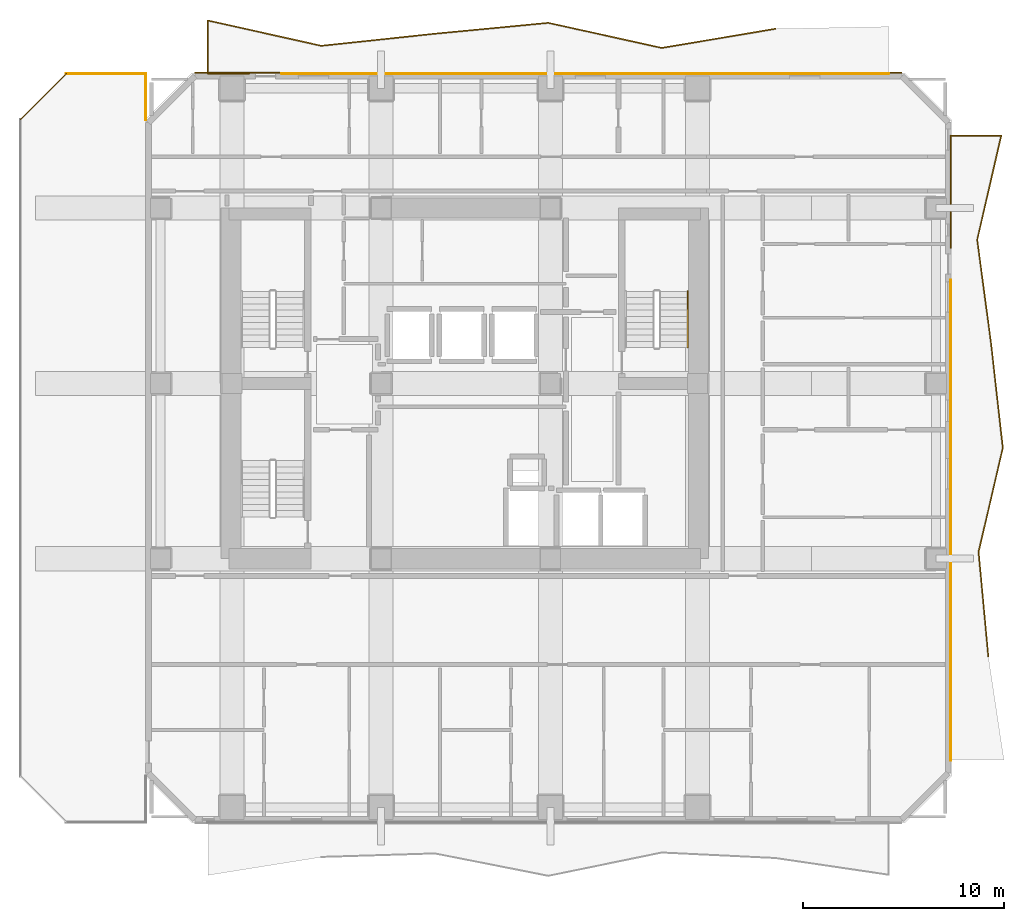
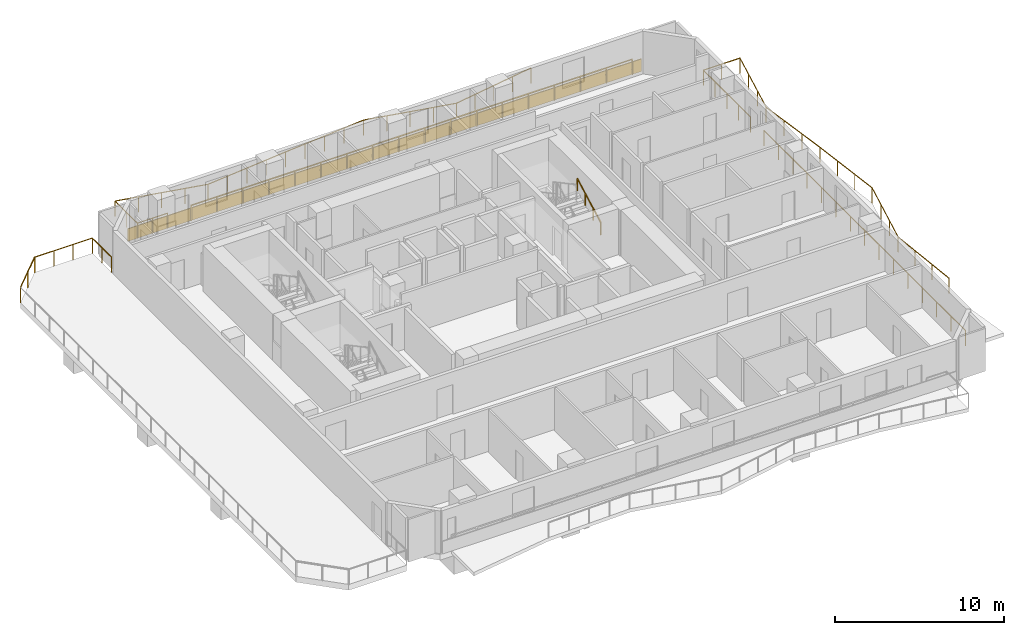
# One storey, part 10 of 10: 8 railings, 1 covering.
"""IFC4 building model written with IfcOpenShell, lengths in metres."""

from ifc_helpers import new_model, si_unit, direction, frame, frame_2d, origin, origin_2d, place, context, subcontext, project, spatial, rectangle, extrude, material, layer, layer_set, type_object, element, save


model = new_model("IFC4")

# Units and contexts
model_context = context("Model", 3, precision=1e-05, world=origin(), true_north=direction((0.0, 1.0)))
body_context = subcontext(model_context, "Body", "Model", "MODEL_VIEW")
ifc_project = project(units=[si_unit("LENGTHUNIT", "METRE"), si_unit("AREAUNIT", "SQUARE_METRE"), si_unit("VOLUMEUNIT", "CUBIC_METRE"), si_unit("PLANEANGLEUNIT", "RADIAN"), si_unit("MASSUNIT", "GRAM", prefix="KILO")], contexts=[model_context])

# Site, building, storey
site_placement = place(None, origin())
site = spatial("IfcSite", under=ifc_project, at=site_placement, CompositionType="ELEMENT")
building_placement = place(site_placement, origin())
building = spatial("IfcBuilding", under=site, at=building_placement, Name="Solanera Arch Residences", CompositionType="ELEMENT")
storey_placement = place(building_placement, frame((0.0, 0.0, 126.0)))
storey = spatial("IfcBuildingStorey", under=building, at=storey_placement, Name="L36", CompositionType="ELEMENT", Elevation=126.0)

# Railings
ifc_material_1 = material(Name="Steel S355 (ASTM A992 / A572 Grade 50)", Category="steel")
railing_type_1 = type_object("IfcRailingType", Name="Balustrade Railing BL-1100", PredefinedType="BALUSTRADE", material=ifc_material_1)
railing_1_placement = place(storey_placement, frame((40.366943359375, 48.302978515625, 0.0)))
element("IfcRailing", 1, at=railing_1_placement, inside=storey, type_object=railing_type_1, Name="L36 N Balcony Balustrade 1", PredefinedType="BALUSTRADE", context=body_context, shape_type="SweptSolid", body=[
    extrude(rectangle(XDim=0.048095703125, YDim=0.048095703125, at=origin_2d()), frame((0.0, 0.0, 1.09619140625), z_axis=(-0.986109512557, -0.166096445609, 0.0), x_axis=(0.166096445609, -0.986109512557, 0.0)), (0.0, 0.0, 1.0), 5.71337890625),
    extrude(rectangle(XDim=0.048095703125, YDim=0.048095703125, at=origin_2d()), frame((-5.634033203125, -0.948974609375, 1.09619140625), z_axis=(-0.976473996844, 0.215635186109, 0.0), x_axis=(-0.215635186109, -0.976473996844, 0.0)), (0.0, 0.0, 1.0), 5.7685546875),
    extrude(rectangle(XDim=0.048095703125, YDim=0.048095703125, at=origin_2d()), frame((-11.266845703125, 0.294921875, 1.09619140625), z_axis=(-0.995456413649, -0.095218320328, 0.0), x_axis=(0.095218320328, -0.995456413649, 0.0)), (0.0, 0.0, 1.0), 5.65869140625),
    extrude(rectangle(XDim=0.048095703125, YDim=0.048095703125, at=origin_2d()), frame((-16.89990234375, -0.243896484375, 1.09619140625), z_axis=(-0.994393445035, -0.105743446467, 0.0), x_axis=(0.105743446467, -0.994393445035, 0.0)), (0.0, 0.0, 1.0), 5.665771484375),
    extrude(rectangle(XDim=0.048095703125, YDim=0.048095703125, at=origin_2d()), frame((-22.533935546875, -0.843017578125, 1.09619140625), z_axis=(-0.976064473934, 0.217481361786, 0.0), x_axis=(-0.217481361786, -0.976064473934, 0.0)), (0.0, 0.0, 1.0), 5.771240234375),
    extrude(rectangle(XDim=0.048095703125, YDim=0.048095703125, at=origin_2d()), frame((-28.1669921875, 0.412109375, 1.09619140625), z_axis=(0.0, -1.0, 0.0), x_axis=(1.0, 0.0, 0.0)), (0.0, 0.0, 1.0), 2.635009765625),
    extrude(rectangle(XDim=0.048095703125, YDim=0.048095703125, at=origin_2d()), frame((-28.1669921875, -2.222900390625, 1.09619140625), z_axis=(1.0, 0.0, 0.0), x_axis=(0.0, 1.0, 0.0)), (0.0, 0.0, 1.0), 2.06396484375),
    extrude(rectangle(XDim=0.0419921875, YDim=0.0419921875, at=origin_2d()), origin(), (0.0, 0.0, 1.0), 1.072021484375),
    extrude(rectangle(XDim=0.0419921875, YDim=0.0419921875, at=origin_2d()), frame((-1.408447265625, -0.2373046875, 0.0)), (0.0, 0.0, 1.0), 1.072021484375),
    extrude(rectangle(XDim=0.0419921875, YDim=0.0419921875, at=origin_2d()), frame((-2.81689453125, -0.474609375, 0.0)), (0.0, 0.0, 1.0), 1.072021484375),
    extrude(rectangle(XDim=0.0419921875, YDim=0.0419921875, at=origin_2d()), frame((-4.2255859375, -0.711669921875, 0.0)), (0.0, 0.0, 1.0), 1.072021484375),
    extrude(rectangle(XDim=0.0419921875, YDim=0.0419921875, at=origin_2d()), frame((-5.634033203125, -0.948974609375, 0.0)), (0.0, 0.0, 1.0), 1.072021484375),
    extrude(rectangle(XDim=0.0419921875, YDim=0.0419921875, at=origin_2d()), frame((-7.042236328125, -0.637939453125, 0.0)), (0.0, 0.0, 1.0), 1.072021484375),
    extrude(rectangle(XDim=0.0419921875, YDim=0.0419921875, at=origin_2d()), frame((-8.450439453125, -0.3271484375, 0.0)), (0.0, 0.0, 1.0), 1.072021484375),
    extrude(rectangle(XDim=0.0419921875, YDim=0.0419921875, at=origin_2d()), frame((-9.858642578125, -0.01611328125, 0.0)), (0.0, 0.0, 1.0), 1.072021484375),
    extrude(rectangle(XDim=0.0419921875, YDim=0.0419921875, at=origin_2d()), frame((-11.266845703125, 0.294921875, 0.0)), (0.0, 0.0, 1.0), 1.072021484375),
    extrude(rectangle(XDim=0.0419921875, YDim=0.0419921875, at=origin_2d()), frame((-12.675048828125, 0.16015625, 0.0)), (0.0, 0.0, 1.0), 1.072021484375),
    extrude(rectangle(XDim=0.0419921875, YDim=0.0419921875, at=origin_2d()), frame((-14.08349609375, 0.025390625, 0.0)), (0.0, 0.0, 1.0), 1.072021484375),
    extrude(rectangle(XDim=0.0419921875, YDim=0.0419921875, at=origin_2d()), frame((-15.49169921875, -0.109130859375, 0.0)), (0.0, 0.0, 1.0), 1.072021484375),
    extrude(rectangle(XDim=0.0419921875, YDim=0.0419921875, at=origin_2d()), frame((-16.89990234375, -0.243896484375, 0.0)), (0.0, 0.0, 1.0), 1.072021484375),
    extrude(rectangle(XDim=0.0419921875, YDim=0.0419921875, at=origin_2d()), frame((-18.308349609375, -0.3935546875, 0.0)), (0.0, 0.0, 1.0), 1.072021484375),
    extrude(rectangle(XDim=0.0419921875, YDim=0.0419921875, at=origin_2d()), frame((-19.716796875, -0.54345703125, 0.0)), (0.0, 0.0, 1.0), 1.072021484375),
    extrude(rectangle(XDim=0.0419921875, YDim=0.0419921875, at=origin_2d()), frame((-21.12548828125, -0.693359375, 0.0)), (0.0, 0.0, 1.0), 1.072021484375),
    extrude(rectangle(XDim=0.0419921875, YDim=0.0419921875, at=origin_2d()), frame((-22.533935546875, -0.843017578125, 0.0)), (0.0, 0.0, 1.0), 1.072021484375),
    extrude(rectangle(XDim=0.0419921875, YDim=0.0419921875, at=origin_2d()), frame((-23.942138671875, -0.529296875, 0.0)), (0.0, 0.0, 1.0), 1.072021484375),
    extrude(rectangle(XDim=0.0419921875, YDim=0.0419921875, at=origin_2d()), frame((-25.3505859375, -0.21533203125, 0.0)), (0.0, 0.0, 1.0), 1.072021484375),
    extrude(rectangle(XDim=0.0419921875, YDim=0.0419921875, at=origin_2d()), frame((-26.7587890625, 0.098388671875, 0.0)), (0.0, 0.0, 1.0), 1.072021484375),
    extrude(rectangle(XDim=0.0419921875, YDim=0.0419921875, at=origin_2d()), frame((-28.1669921875, 0.412109375, 0.0)), (0.0, 0.0, 1.0), 1.072021484375),
    extrude(rectangle(XDim=0.0419921875, YDim=0.0419921875, at=origin_2d()), frame((-28.1669921875, -0.9052734375, 0.0)), (0.0, 0.0, 1.0), 1.072021484375),
    extrude(rectangle(XDim=0.0419921875, YDim=0.0419921875, at=origin_2d()), frame((-28.1669921875, -2.222900390625, 0.0)), (0.0, 0.0, 1.0), 1.072021484375),
    extrude(rectangle(XDim=0.0419921875, YDim=0.0419921875, at=origin_2d()), frame((-27.135009765625, -2.222900390625, 0.0)), (0.0, 0.0, 1.0), 1.072021484375),
    extrude(rectangle(XDim=0.0419921875, YDim=0.0419921875, at=origin_2d()), frame((-26.10302734375, -2.222900390625, 0.0)), (0.0, 0.0, 1.0), 1.072021484375),
])
railing_2_placement = place(storey_placement, frame((15.864013671875, 46.080078125, 0.0)))
element("IfcRailing", 2, at=railing_2_placement, inside=storey, type_object=railing_type_1, Name="L36 N Balcony Balustrade 2", PredefinedType="BALUSTRADE", context=body_context, shape_type="SweptSolid", body=[
    extrude(rectangle(XDim=0.048095703125, YDim=0.048095703125, at=origin_2d()), frame((0.0, 0.0, 1.09619140625), z_axis=(1.0, 0.0, 0.0), x_axis=(0.0, 1.0, 0.0)), (0.0, 0.0, 1.0), 30.135986328125),
    extrude(rectangle(XDim=0.0419921875, YDim=0.0419921875, at=origin_2d()), origin(), (0.0, 0.0, 1.0), 1.072021484375),
    extrude(rectangle(XDim=0.0419921875, YDim=0.0419921875, at=origin_2d()), frame((1.772705078125, 0.0, 0.0)), (0.0, 0.0, 1.0), 1.072021484375),
    extrude(rectangle(XDim=0.0419921875, YDim=0.0419921875, at=origin_2d()), frame((3.54541015625, 0.0, 0.0)), (0.0, 0.0, 1.0), 1.072021484375),
    extrude(rectangle(XDim=0.0419921875, YDim=0.0419921875, at=origin_2d()), frame((5.318115234375, 0.0, 0.0)), (0.0, 0.0, 1.0), 1.072021484375),
    extrude(rectangle(XDim=0.0419921875, YDim=0.0419921875, at=origin_2d()), frame((7.0908203125, 0.0, 0.0)), (0.0, 0.0, 1.0), 1.072021484375),
    extrude(rectangle(XDim=0.0419921875, YDim=0.0419921875, at=origin_2d()), frame((8.863525390625, 0.0, 0.0)), (0.0, 0.0, 1.0), 1.072021484375),
    extrude(rectangle(XDim=0.0419921875, YDim=0.0419921875, at=origin_2d()), frame((10.63623046875, 0.0, 0.0)), (0.0, 0.0, 1.0), 1.072021484375),
    extrude(rectangle(XDim=0.0419921875, YDim=0.0419921875, at=origin_2d()), frame((12.408935546875, 0.0, 0.0)), (0.0, 0.0, 1.0), 1.072021484375),
    extrude(rectangle(XDim=0.0419921875, YDim=0.0419921875, at=origin_2d()), frame((14.181640625, 0.0, 0.0)), (0.0, 0.0, 1.0), 1.072021484375),
    extrude(rectangle(XDim=0.0419921875, YDim=0.0419921875, at=origin_2d()), frame((15.954345703125, 0.0, 0.0)), (0.0, 0.0, 1.0), 1.072021484375),
    extrude(rectangle(XDim=0.0419921875, YDim=0.0419921875, at=origin_2d()), frame((17.72705078125, 0.0, 0.0)), (0.0, 0.0, 1.0), 1.072021484375),
    extrude(rectangle(XDim=0.0419921875, YDim=0.0419921875, at=origin_2d()), frame((19.499755859375, 0.0, 0.0)), (0.0, 0.0, 1.0), 1.072021484375),
    extrude(rectangle(XDim=0.0419921875, YDim=0.0419921875, at=origin_2d()), frame((21.2724609375, 0.0, 0.0)), (0.0, 0.0, 1.0), 1.072021484375),
    extrude(rectangle(XDim=0.0419921875, YDim=0.0419921875, at=origin_2d()), frame((23.045166015625, 0.0, 0.0)), (0.0, 0.0, 1.0), 1.072021484375),
    extrude(rectangle(XDim=0.0419921875, YDim=0.0419921875, at=origin_2d()), frame((24.81787109375, 0.0, 0.0)), (0.0, 0.0, 1.0), 1.072021484375),
    extrude(rectangle(XDim=0.0419921875, YDim=0.0419921875, at=origin_2d()), frame((26.590576171875, 0.0, 0.0)), (0.0, 0.0, 1.0), 1.072021484375),
    extrude(rectangle(XDim=0.0419921875, YDim=0.0419921875, at=origin_2d()), frame((28.36328125, 0.0, 0.0)), (0.0, 0.0, 1.0), 1.072021484375),
    extrude(rectangle(XDim=0.0419921875, YDim=0.0419921875, at=origin_2d()), frame((30.135986328125, 0.0, 0.0)), (0.0, 0.0, 1.0), 1.072021484375),
])
railing_3_placement = place(storey_placement, frame((50.93798828125, 17.1669921875, 0.0)))
element("IfcRailing", 3, at=railing_3_placement, inside=storey, type_object=railing_type_1, Name="L36 E Balcony Balustrade 1", PredefinedType="BALUSTRADE", context=body_context, shape_type="SweptSolid", body=[
    extrude(rectangle(XDim=0.048095703125, YDim=0.048095703125, at=origin_2d()), frame((0.0, 0.0, 1.09619140625), z_axis=(-0.093072502952, 0.995659333906, 0.0), x_axis=(-0.995659333906, -0.093072502952, 0.0)), (0.0, 0.0, 1.0), 5.1884765625),
    extrude(rectangle(XDim=0.048095703125, YDim=0.048095703125, at=origin_2d()), frame((-0.48291015625, 5.166015625, 1.09619140625), z_axis=(0.226912475326, 0.973915154693, 0.0), x_axis=(-0.973915154693, 0.226912475326, 0.0)), (0.0, 0.0, 1.0), 5.305419921875),
    extrude(rectangle(XDim=0.048095703125, YDim=0.048095703125, at=origin_2d()), frame((0.720947265625, 10.3330078125, 1.09619140625), z_axis=(-0.111936189078, 0.993715396668, 0.0), x_axis=(-0.993715396668, -0.111936189078, 0.0)), (0.0, 0.0, 1.0), 5.19970703125),
    extrude(rectangle(XDim=0.048095703125, YDim=0.048095703125, at=origin_2d()), frame((0.138916015625, 15.5, 1.09619140625), z_axis=(-0.132194404018, 0.991223809009, 0.0), x_axis=(-0.991223809009, -0.132194404018, 0.0)), (0.0, 0.0, 1.0), 5.211669921875),
    extrude(rectangle(XDim=0.048095703125, YDim=0.048095703125, at=origin_2d()), frame((-0.550048828125, 20.666015625, 1.09619140625), z_axis=(0.224815793857, 0.974401282241, 0.0), x_axis=(-0.974401282241, 0.224815793857, 0.0)), (0.0, 0.0, 1.0), 5.302734375),
    extrude(rectangle(XDim=0.048095703125, YDim=0.048095703125, at=origin_2d()), frame((0.64208984375, 25.8330078125, 1.09619140625), z_axis=(-1.0, 0.0, 0.0), x_axis=(0.0, -1.0, 0.0)), (0.0, 0.0, 1.0), 2.5),
    extrude(rectangle(XDim=0.048095703125, YDim=0.048095703125, at=origin_2d()), frame((-1.85791015625, 25.8330078125, 1.09619140625), z_axis=(0.0, -1.0, 0.0), x_axis=(1.0, 0.0, 0.0)), (0.0, 0.0, 1.0), 5.574951171875),
    extrude(rectangle(XDim=0.0419921875, YDim=0.0419921875, at=origin_2d()), origin(), (0.0, 0.0, 1.0), 1.072021484375),
    extrude(rectangle(XDim=0.0419921875, YDim=0.0419921875, at=origin_2d()), frame((-0.160888671875, 1.721923828125, 0.0)), (0.0, 0.0, 1.0), 1.072021484375),
    extrude(rectangle(XDim=0.0419921875, YDim=0.0419921875, at=origin_2d()), frame((-0.322021484375, 3.444091796875, 0.0)), (0.0, 0.0, 1.0), 1.072021484375),
    extrude(rectangle(XDim=0.0419921875, YDim=0.0419921875, at=origin_2d()), frame((-0.48291015625, 5.166015625, 0.0)), (0.0, 0.0, 1.0), 1.072021484375),
    extrude(rectangle(XDim=0.0419921875, YDim=0.0419921875, at=origin_2d()), frame((-0.08154296875, 6.888427734375, 0.0)), (0.0, 0.0, 1.0), 1.072021484375),
    extrude(rectangle(XDim=0.0419921875, YDim=0.0419921875, at=origin_2d()), frame((0.319580078125, 8.610595703125, 0.0)), (0.0, 0.0, 1.0), 1.072021484375),
    extrude(rectangle(XDim=0.0419921875, YDim=0.0419921875, at=origin_2d()), frame((0.720947265625, 10.3330078125, 0.0)), (0.0, 0.0, 1.0), 1.072021484375),
    extrude(rectangle(XDim=0.0419921875, YDim=0.0419921875, at=origin_2d()), frame((0.52685546875, 12.055419921875, 0.0)), (0.0, 0.0, 1.0), 1.072021484375),
    extrude(rectangle(XDim=0.0419921875, YDim=0.0419921875, at=origin_2d()), frame((0.3330078125, 13.777587890625, 0.0)), (0.0, 0.0, 1.0), 1.072021484375),
    extrude(rectangle(XDim=0.0419921875, YDim=0.0419921875, at=origin_2d()), frame((0.138916015625, 15.5, 0.0)), (0.0, 0.0, 1.0), 1.072021484375),
    extrude(rectangle(XDim=0.0419921875, YDim=0.0419921875, at=origin_2d()), frame((-0.0908203125, 17.221923828125, 0.0)), (0.0, 0.0, 1.0), 1.072021484375),
    extrude(rectangle(XDim=0.0419921875, YDim=0.0419921875, at=origin_2d()), frame((-0.3203125, 18.944091796875, 0.0)), (0.0, 0.0, 1.0), 1.072021484375),
    extrude(rectangle(XDim=0.0419921875, YDim=0.0419921875, at=origin_2d()), frame((-0.550048828125, 20.666015625, 0.0)), (0.0, 0.0, 1.0), 1.072021484375),
    extrude(rectangle(XDim=0.0419921875, YDim=0.0419921875, at=origin_2d()), frame((-0.152587890625, 22.388427734375, 0.0)), (0.0, 0.0, 1.0), 1.072021484375),
    extrude(rectangle(XDim=0.0419921875, YDim=0.0419921875, at=origin_2d()), frame((0.24462890625, 24.110595703125, 0.0)), (0.0, 0.0, 1.0), 1.072021484375),
    extrude(rectangle(XDim=0.0419921875, YDim=0.0419921875, at=origin_2d()), frame((0.64208984375, 25.8330078125, 0.0)), (0.0, 0.0, 1.0), 1.072021484375),
    extrude(rectangle(XDim=0.0419921875, YDim=0.0419921875, at=origin_2d()), frame((-0.60791015625, 25.8330078125, 0.0)), (0.0, 0.0, 1.0), 1.072021484375),
    extrude(rectangle(XDim=0.0419921875, YDim=0.0419921875, at=origin_2d()), frame((-1.85791015625, 25.8330078125, 0.0)), (0.0, 0.0, 1.0), 1.072021484375),
    extrude(rectangle(XDim=0.0419921875, YDim=0.0419921875, at=origin_2d()), frame((-1.85791015625, 24.439208984375, 0.0)), (0.0, 0.0, 1.0), 1.072021484375),
    extrude(rectangle(XDim=0.0419921875, YDim=0.0419921875, at=origin_2d()), frame((-1.85791015625, 23.04541015625, 0.0)), (0.0, 0.0, 1.0), 1.072021484375),
    extrude(rectangle(XDim=0.0419921875, YDim=0.0419921875, at=origin_2d()), frame((-1.85791015625, 21.65185546875, 0.0)), (0.0, 0.0, 1.0), 1.072021484375),
    extrude(rectangle(XDim=0.0419921875, YDim=0.0419921875, at=origin_2d()), frame((-1.85791015625, 20.258056640625, 0.0)), (0.0, 0.0, 1.0), 1.072021484375),
])
railing_4_placement = place(storey_placement, frame((49.080078125, 35.824951171875, 0.0)))
element("IfcRailing", 4, at=railing_4_placement, inside=storey, type_object=railing_type_1, Name="L36 E Balcony Balustrade 2", PredefinedType="BALUSTRADE", context=body_context, shape_type="SweptSolid", body=[
    extrude(rectangle(XDim=0.048095703125, YDim=0.048095703125, at=origin_2d()), frame((0.0, 0.0, 1.09619140625), z_axis=(0.0, -1.0, 0.0), x_axis=(1.0, 0.0, 0.0)), (0.0, 0.0, 1.0), 23.824951171875),
    extrude(rectangle(XDim=0.0419921875, YDim=0.0419921875, at=origin_2d()), origin(), (0.0, 0.0, 1.0), 1.072021484375),
    extrude(rectangle(XDim=0.0419921875, YDim=0.0419921875, at=origin_2d()), frame((0.0, -1.70166015625, 0.0)), (0.0, 0.0, 1.0), 1.072021484375),
    extrude(rectangle(XDim=0.0419921875, YDim=0.0419921875, at=origin_2d()), frame((0.0, -3.403564453125, 0.0)), (0.0, 0.0, 1.0), 1.072021484375),
    extrude(rectangle(XDim=0.0419921875, YDim=0.0419921875, at=origin_2d()), frame((0.0, -5.10546875, 0.0)), (0.0, 0.0, 1.0), 1.072021484375),
    extrude(rectangle(XDim=0.0419921875, YDim=0.0419921875, at=origin_2d()), frame((0.0, -6.80712890625, 0.0)), (0.0, 0.0, 1.0), 1.072021484375),
    extrude(rectangle(XDim=0.0419921875, YDim=0.0419921875, at=origin_2d()), frame((0.0, -8.5087890625, 0.0)), (0.0, 0.0, 1.0), 1.072021484375),
    extrude(rectangle(XDim=0.0419921875, YDim=0.0419921875, at=origin_2d()), frame((0.0, -10.210693359375, 0.0)), (0.0, 0.0, 1.0), 1.072021484375),
    extrude(rectangle(XDim=0.0419921875, YDim=0.0419921875, at=origin_2d()), frame((0.0, -11.91259765625, 0.0)), (0.0, 0.0, 1.0), 1.072021484375),
    extrude(rectangle(XDim=0.0419921875, YDim=0.0419921875, at=origin_2d()), frame((0.0, -13.6142578125, 0.0)), (0.0, 0.0, 1.0), 1.072021484375),
    extrude(rectangle(XDim=0.0419921875, YDim=0.0419921875, at=origin_2d()), frame((0.0, -15.316162109375, 0.0)), (0.0, 0.0, 1.0), 1.072021484375),
    extrude(rectangle(XDim=0.0419921875, YDim=0.0419921875, at=origin_2d()), frame((0.0, -17.017822265625, 0.0)), (0.0, 0.0, 1.0), 1.072021484375),
    extrude(rectangle(XDim=0.0419921875, YDim=0.0419921875, at=origin_2d()), frame((0.0, -18.7197265625, 0.0)), (0.0, 0.0, 1.0), 1.072021484375),
    extrude(rectangle(XDim=0.0419921875, YDim=0.0419921875, at=origin_2d()), frame((0.0, -20.42138671875, 0.0)), (0.0, 0.0, 1.0), 1.072021484375),
    extrude(rectangle(XDim=0.0419921875, YDim=0.0419921875, at=origin_2d()), frame((0.0, -22.123046875, 0.0)), (0.0, 0.0, 1.0), 1.072021484375),
    extrude(rectangle(XDim=0.0419921875, YDim=0.0419921875, at=origin_2d()), frame((0.0, -23.824951171875, 0.0)), (0.0, 0.0, 1.0), 1.072021484375),
])
railing_5_placement = place(storey_placement, frame((9.1201171875, 43.7919921875, 0.0)))
element("IfcRailing", 5, at=railing_5_placement, inside=storey, type_object=railing_type_1, Name="L36 Sky Terrace Guardrail 1", PredefinedType="BALUSTRADE", context=body_context, shape_type="SweptSolid", body=[
    extrude(rectangle(XDim=0.048095703125, YDim=0.048095703125, at=origin_2d()), frame((0.0, 0.0, 1.09619140625), z_axis=(0.0, 1.0, 0.0), x_axis=(-1.0, 0.0, 0.0)), (0.0, 0.0, 1.0), 2.2880859375),
    extrude(rectangle(XDim=0.0419921875, YDim=0.0419921875, at=origin_2d()), origin(), (0.0, 0.0, 1.0), 1.072021484375),
    extrude(rectangle(XDim=0.0419921875, YDim=0.0419921875, at=origin_2d()), frame((0.0, 1.14404296875, 0.0)), (0.0, 0.0, 1.0), 1.072021484375),
    extrude(rectangle(XDim=0.0419921875, YDim=0.0419921875, at=origin_2d()), frame((0.0, 2.2880859375, 0.0)), (0.0, 0.0, 1.0), 1.072021484375),
])
railing_6_placement = place(storey_placement, frame((9.1201171875, 46.080078125, 0.0)))
element("IfcRailing", 6, at=railing_6_placement, inside=storey, type_object=railing_type_1, Name="L36 Sky Terrace Guardrail 1", PredefinedType="BALUSTRADE", context=body_context, shape_type="SweptSolid", body=[
    extrude(rectangle(XDim=0.048095703125, YDim=0.048095703125, at=origin_2d()), frame((0.0, 0.0, 1.09619140625), z_axis=(-1.0, 0.0, 0.0), x_axis=(0.0, -1.0, 0.0)), (0.0, 0.0, 1.0), 3.940185546875),
    extrude(rectangle(XDim=0.0419921875, YDim=0.0419921875, at=origin_2d()), origin(), (0.0, 0.0, 1.0), 1.072021484375),
    extrude(rectangle(XDim=0.0419921875, YDim=0.0419921875, at=origin_2d()), frame((-1.3134765625, 0.0, 0.0)), (0.0, 0.0, 1.0), 1.072021484375),
    extrude(rectangle(XDim=0.0419921875, YDim=0.0419921875, at=origin_2d()), frame((-2.626708984375, 0.0, 0.0)), (0.0, 0.0, 1.0), 1.072021484375),
    extrude(rectangle(XDim=0.0419921875, YDim=0.0419921875, at=origin_2d()), frame((-3.940185546875, 0.0, 0.0)), (0.0, 0.0, 1.0), 1.072021484375),
])
railing_7_placement = place(storey_placement, frame((5.179931640625, 46.080078125, 0.0)))
element("IfcRailing", 7, at=railing_7_placement, inside=storey, type_object=railing_type_1, Name="L36 Sky Terrace Guardrail 1", PredefinedType="BALUSTRADE", context=body_context, shape_type="SweptSolid", body=[
    extrude(rectangle(XDim=0.048095703125, YDim=0.048095703125, at=origin_2d()), frame((0.0, 0.0, 1.09619140625), z_axis=(-0.707106781187, -0.707106781187, 0.0), x_axis=(0.707106781187, -0.707106781187, 0.0)), (0.0, 0.0, 1.0), 3.224365234375),
    extrude(rectangle(XDim=0.0419921875, YDim=0.0419921875, at=origin_2d()), origin(), (0.0, 0.0, 1.0), 1.072021484375),
    extrude(rectangle(XDim=0.0419921875, YDim=0.0419921875, at=origin_2d()), frame((-1.14013671875, -1.14013671875, 0.0)), (0.0, 0.0, 1.0), 1.072021484375),
    extrude(rectangle(XDim=0.0419921875, YDim=0.0419921875, at=origin_2d()), frame((-2.280029296875, -2.280029296875, 0.0)), (0.0, 0.0, 1.0), 1.072021484375),
])

# Covering
ifc_material_2 = material(Name="Philippine Adobe Travertine Cladding", Category="masonry")
ifc_layer = layer(ifc_material_2, 0.06005859375)
ifc_layer_set = layer_set([ifc_layer], Name="Philippine Adobe Travertine Cladding")
covering_type = type_object("IfcCoveringType", Name="Precast Pier Stone Cladding CLD-60", PredefinedType="CLADDING", material=ifc_layer_set)
covering_placement = place(storey_placement, frame((11.554931640625, 46.114990234375, 0.0), z_axis=(0.0, 0.0, 1.0), x_axis=(1.0, 0.0, 0.0)))
element("IfcCovering", 8, at=covering_placement, inside=storey, type_object=covering_type, Name="L36 N Precast Spandrel Stone Band", PredefinedType="CLADDING", context=body_context, shape_type="SweptSolid", body=[
    extrude(rectangle(XDim=35.090087890625, YDim=0.06005859375, at=frame_2d((17.544921875, 0.0))), origin(), (0.0, 0.0, 1.0), 0.89990234375),
])

# Railing
ifc_material_3 = material(Name="Steel S355 (ASTM A992 / A572 Grade 50)", Category="steel")
railing_type_2 = type_object("IfcRailingType", Name="Stair Wall Handrail HR-920", PredefinedType="HANDRAIL", material=ifc_material_3)
railing_8_placement = place(storey_placement, frame((36.010009765625, 32.47998046875, 0.166015625)))
element("IfcRailing", 9, at=railing_8_placement, inside=storey, type_object=railing_type_2, Name="L36 ST-T2 stair handrail 1", PredefinedType="HANDRAIL", context=body_context, shape_type="SweptSolid", body=[
    extrude(rectangle(XDim=0.048095703125, YDim=0.048095703125, at=origin_2d()), frame((0.0, 0.0, 0.8759765625), z_axis=(0.0, 0.881580869306, 0.472033018838), x_axis=(-1.0, 0.0, 0.0)), (0.0, 0.0, 1.0), 3.164794921875),
    extrude(rectangle(XDim=0.0419921875, YDim=0.0419921875, at=origin_2d()), origin(), (0.0, 0.0, 1.0), 0.851806640625),
    extrude(rectangle(XDim=0.0419921875, YDim=0.0419921875, at=origin_2d()), frame((0.0, 0.929931640625, 0.498046875)), (0.0, 0.0, 1.0), 0.851806640625),
    extrude(rectangle(XDim=0.0419921875, YDim=0.0419921875, at=origin_2d()), frame((0.0, 1.860107421875, 0.995849609375)), (0.0, 0.0, 1.0), 0.851806640625),
    extrude(rectangle(XDim=0.0419921875, YDim=0.0419921875, at=origin_2d()), frame((0.0, 2.7900390625, 1.493896484375)), (0.0, 0.0, 1.0), 0.851806640625),
])

save(model, "model.ifc")
